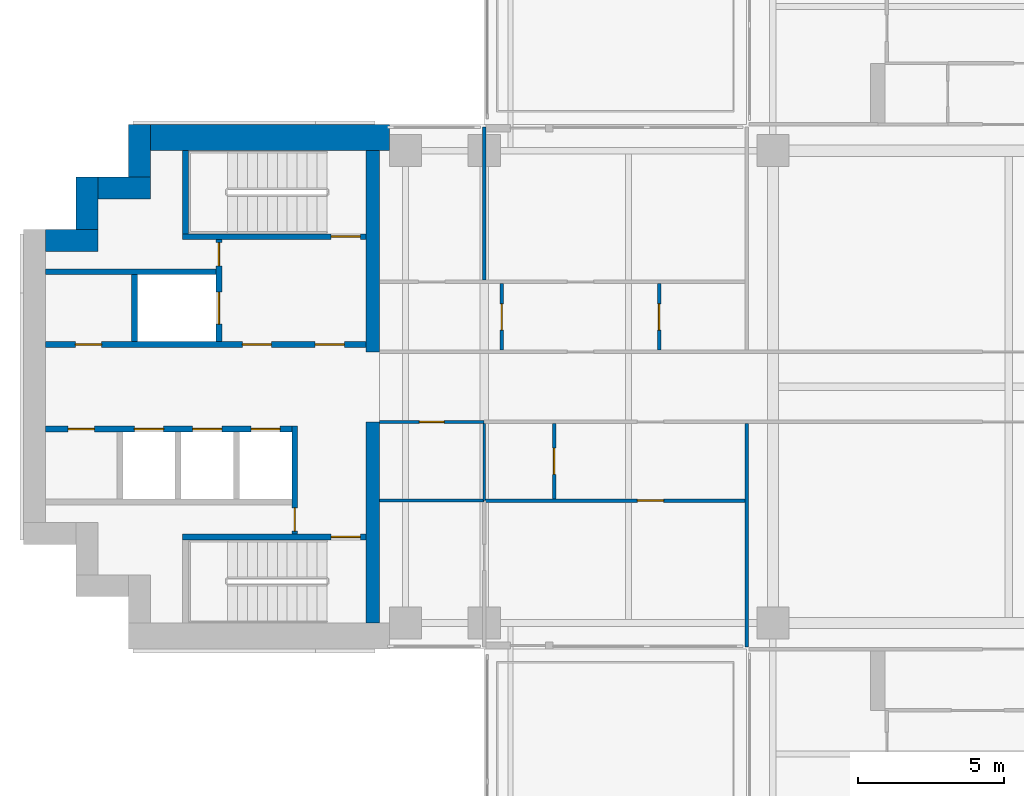
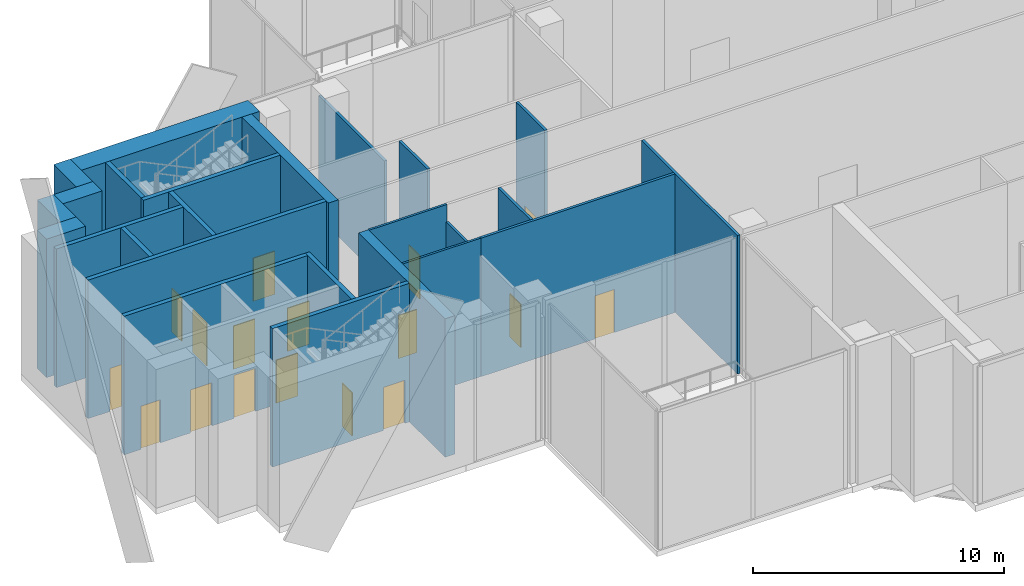
# One storey, part 9 of 17: 25 walls, 17 doors, 17 openings.
"""IFC4 building model written with IfcOpenShell, lengths in metres."""

from ifc_helpers import new_model, si_unit, direction, frame, frame_2d, origin, place, context, subcontext, project, spatial, rectangle, extrude, material, layer, layer_set, type_object, element, fill, save


model = new_model("IFC4")

# Units and contexts
model_context = context("Model", 3, precision=1e-05, world=origin(), true_north=direction((0.0, 1.0)))
body_context = subcontext(model_context, "Body", "Model", "MODEL_VIEW")
ifc_project = project(units=[si_unit("LENGTHUNIT", "METRE"), si_unit("AREAUNIT", "SQUARE_METRE"), si_unit("VOLUMEUNIT", "CUBIC_METRE"), si_unit("PLANEANGLEUNIT", "RADIAN"), si_unit("MASSUNIT", "GRAM", prefix="KILO")], contexts=[model_context])

# Site, building, storey
site_placement = place(None, origin())
site = spatial("IfcSite", under=ifc_project, at=site_placement, CompositionType="ELEMENT")
building_placement = place(site_placement, origin())
building = spatial("IfcBuilding", under=site, at=building_placement, Name="Perihelion Cross Residences", CompositionType="ELEMENT")
storey_placement = place(building_placement, frame((0.0, 0.0, 154.89990234375)))
storey = spatial("IfcBuildingStorey", under=building, at=storey_placement, Name="L38", CompositionType="ELEMENT", Elevation=154.89990234375)

# Walls
ifc_material_1 = material(Name="Concrete C60/75", Category="concrete")
ifc_layer_1 = layer(ifc_material_1, 0.449951171875)
ifc_layer_set_1 = layer_set([ifc_layer_1], Name="Core wall, inner 450")
wall_type_1 = type_object("IfcWallType", Name="Core wall, inner 450", PredefinedType="SHEAR", material=ifc_layer_set_1)
for number, where, z_axis, x_axis, name in (
    (1, (-21.824951171875, -8.10009765625, 0.0), (0.0, 0.0, 1.0), (0.0, 1.0, 0.0), "West core core wall, inner"),
    (2, (-21.824951171875, 1.199951171875, 0.0), (0.0, 0.0, 1.0), (0.0, 1.0, 0.0), "West core core wall, inner"),
):
    element("IfcWall", number, at=place(storey_placement, frame(where, z_axis=z_axis, x_axis=x_axis)), inside=storey, type_object=wall_type_1, Name=name, PredefinedType="SHEAR", context=body_context, shape_type="SweptSolid", body=[
        extrude(rectangle(XDim=6.900146484375, YDim=0.449951171875, at=frame_2d((3.4501953125, 0.0))), origin(), (0.0, 0.0, 1.0), 6.75),
    ])
ifc_material_2 = material(Name="Concrete C60/75", Category="concrete")
ifc_layer_2 = layer(ifc_material_2, 0.75)
ifc_layer_set_2 = layer_set([ifc_layer_2], Name="Core wall, outer 750")
wall_type_2 = type_object("IfcWallType", Name="Core wall, outer 750", PredefinedType="SHEAR", material=ifc_layer_set_2)
for number, where, z_axis, x_axis, name in (
    (3, (-33.050048828125, 5.02490234375, 0.0), (0.0, 0.0, 1.0), (1.0, 0.0, 0.0), "West core core wall, outer"),
    (4, (-31.625, 5.39990234375, 0.0), (0.0, 0.0, 1.0), (0.0, 1.0, 0.0), "West core core wall, outer"),
    (5, (-31.25, 6.824951171875, 0.0), (0.0, 0.0, 1.0), (1.0, 0.0, 0.0), "West core core wall, outer"),
    (6, (-29.824951171875, 7.199951171875, 0.0), (0.0, 0.0, 1.0), (0.0, 1.0, 0.0), "West core core wall, outer"),
):
    element("IfcWall", number, at=place(storey_placement, frame(where, z_axis=z_axis, x_axis=x_axis)), inside=storey, type_object=wall_type_2, Name=name, PredefinedType="SHEAR", context=body_context, shape_type="SweptSolid", body=[
        extrude(rectangle(XDim=1.800048828125, YDim=0.75, at=frame_2d((0.89990234375, 0.0))), origin(), (0.0, 0.0, 1.0), 6.75),
    ])
ifc_material_3 = material(Name="Concrete C60/75", Category="concrete")
ifc_layer_3 = layer(ifc_material_3, 0.89990234375)
ifc_layer_set_3 = layer_set([ifc_layer_3], Name="Core wall, outer 900")
wall_type_3 = type_object("IfcWallType", Name="Core wall, outer 900", PredefinedType="SHEAR", material=ifc_layer_set_3)
wall_1_placement = place(storey_placement, frame((-29.449951171875, 8.550048828125, 0.0), z_axis=(0.0, 0.0, 1.0), x_axis=(1.0, 0.0, 0.0)))
element("IfcWall", 7, at=wall_1_placement, inside=storey, type_object=wall_type_3, Name="West core core wall, outer", PredefinedType="SHEAR", context=body_context, shape_type="SweptSolid", body=[
    extrude(rectangle(XDim=8.199951171875, YDim=0.89990234375, at=frame_2d((4.10009765625, 0.0))), origin(), (0.0, 0.0, 1.0), 6.75),
])

# Wall, opening, door
ifc_material_4 = material(Name="Concrete C50/60", Category="concrete")
ifc_layer_4 = layer(ifc_material_4, 0.199951171875)
ifc_layer_set_4 = layer_set([ifc_layer_4], Name="Lobby wall 200")
wall_type_4 = type_object("IfcWallType", Name="Lobby wall 200", PredefinedType="SOLIDWALL", material=ifc_layer_set_4)
wall_2_placement = place(storey_placement, frame((-24.5, -5.050048828125, 0.0), z_axis=(0.0, 0.0, 1.0), x_axis=(0.0, 1.0, 0.0)))
wall_2 = element("IfcWall", 8, at=wall_2_placement, inside=storey, type_object=wall_type_4, Name="West core lobby wall", PredefinedType="SOLIDWALL", context=body_context, shape_type="SweptSolid", body=[
    extrude(rectangle(XDim=3.699951171875, YDim=0.199951171875, at=frame_2d((1.85009765625, 0.0))), origin(), (0.0, 0.0, 1.0), 6.75),
])
opening_1_placement = place(wall_2_placement, frame((0.10009765625, 0.0, 0.0)))
opening_1 = element("IfcOpeningElement", 9, at=opening_1_placement, cuts=wall_2, Name="Opening L38.C20", PredefinedType="OPENING", context=body_context, shape_type="SweptSolid", body=[
    extrude(rectangle(XDim=0.800048828125, YDim=2.10009765625, at=frame_2d((0.39990234375, 1.050048828125))), frame((0.0, 0.10986328125, 0.0), z_axis=(0.0, -1.0, 0.0), x_axis=(1.0, 0.0, 0.0)), (0.0, 0.0, 1.0), 0.219970703125),
])
ifc_material_5 = material(Name="Steel, powder coated", Category="steel")
door_type_1 = type_object("IfcDoorType", Name="Riser door 800", OperationType="SINGLE_SWING_LEFT", PredefinedType="DOOR", material=ifc_material_5)
door_1_placement = place(opening_1_placement, origin())
door_1 = element("IfcDoor", 10, at=door_1_placement, inside=storey, type_object=door_type_1, Name="West core riser door", OperationType="SINGLE_SWING_LEFT", OverallHeight=2.10009765625, OverallWidth=0.800048828125, PredefinedType="DOOR", context=body_context, shape_type="SweptSolid", body=[
    extrude(rectangle(XDim=0.800048828125, YDim=2.10009765625, at=frame_2d((0.39990234375, 1.050048828125))), frame((0.0, 0.02490234375, 0.0), z_axis=(0.0, -1.0, 0.0), x_axis=(1.0, 0.0, 0.0)), (0.0, 0.0, 1.0), 0.050048828125),
])
fill(opening_1, door_1)

# Walls
ifc_material_6 = material(Name="Plasterboard partition")
ifc_layer_5 = layer(ifc_material_6, 0.1201171875)
ifc_layer_set_5 = layer_set([ifc_layer_5], Name="Partition wall 120")
wall_type_5 = type_object("IfcWallType", Name="Partition wall 120", PredefinedType="PARTITIONING", material=ifc_layer_set_5)
wall_3_placement = place(storey_placement, frame((-9.0, -8.919921875, 0.0), z_axis=(0.0, 0.0, 1.0), x_axis=(0.0, 1.0, 0.0)))
element("IfcWall", 11, at=wall_3_placement, inside=storey, type_object=wall_type_5, Name="Partition L38 W014", PredefinedType="PARTITIONING", context=body_context, shape_type="SweptSolid", body=[
    extrude(rectangle(XDim=7.659912109375, YDim=0.1201171875, at=frame_2d((3.830078125, 0.0))), origin(), (0.0, 0.0, 1.0), 6.75),
])
wall_4_placement = place(storey_placement, frame((-18.0, 3.659912109375, 0.0), z_axis=(0.0, 0.0, 1.0), x_axis=(0.0, 1.0, 0.0)))
element("IfcWall", 12, at=wall_4_placement, inside=storey, type_object=wall_type_5, Name="Partition L38 W030", PredefinedType="PARTITIONING", context=body_context, shape_type="SweptSolid", body=[
    extrude(rectangle(XDim=5.260009765625, YDim=0.1201171875, at=frame_2d((2.6298828125, 0.0))), origin(), (0.0, 0.0, 1.0), 5.9140625),
])

# Wall, opening, door
wall_5_placement = place(storey_placement, frame((-12.0, 1.260009765625, 0.0), z_axis=(0.0, 0.0, 1.0), x_axis=(0.0, 1.0, 0.0)))
wall_5 = element("IfcWall", 13, at=wall_5_placement, inside=storey, type_object=wall_type_5, Name="Partition L38 W032", PredefinedType="PARTITIONING", context=body_context, shape_type="SweptSolid", body=[
    extrude(rectangle(XDim=2.280029296875, YDim=0.1201171875, at=frame_2d((1.14013671875, 0.0))), origin(), (0.0, 0.0, 1.0), 6.75),
])
opening_2_placement = place(wall_5_placement, frame((0.68994140625, 0.0, 0.0)))
opening_2 = element("IfcOpeningElement", 14, at=opening_2_placement, cuts=wall_5, Name="Opening L38.A15", PredefinedType="OPENING", context=body_context, shape_type="SweptSolid", body=[
    extrude(rectangle(XDim=0.89990234375, YDim=2.10009765625, at=frame_2d((0.449951171875, 1.050048828125))), frame((0.0, 0.070068359375, 0.0), z_axis=(0.0, -1.0, 0.0), x_axis=(1.0, 0.0, 0.0)), (0.0, 0.0, 1.0), 0.14013671875),
])
ifc_material_7 = material(Name="Timber door leaf", Category="wood")
door_type_2 = type_object("IfcDoorType", Name="Interior room door 900 x 2100", OperationType="SINGLE_SWING_LEFT", PredefinedType="DOOR", material=ifc_material_7)
door_2_placement = place(opening_2_placement, origin())
door_2 = element("IfcDoor", 15, at=door_2_placement, inside=storey, type_object=door_type_2, Name="Door L38.A15", OperationType="SINGLE_SWING_RIGHT", OverallHeight=2.10009765625, OverallWidth=0.89990234375, PredefinedType="DOOR", context=body_context, shape_type="SweptSolid", body=[
    extrude(rectangle(XDim=0.89990234375, YDim=2.10009765625, at=frame_2d((0.449951171875, 1.050048828125))), frame((0.0, 0.02490234375, 0.0), z_axis=(0.0, -1.0, 0.0), x_axis=(1.0, 0.0, 0.0)), (0.0, 0.0, 1.0), 0.050048828125),
])
fill(opening_2, door_2)

wall_6_placement = place(storey_placement, frame((-17.39990234375, 1.260009765625, 0.0), z_axis=(0.0, 0.0, 1.0), x_axis=(0.0, 1.0, 0.0)))
wall_6 = element("IfcWall", 16, at=wall_6_placement, inside=storey, type_object=wall_type_5, Name="Partition L38 W033", PredefinedType="PARTITIONING", context=body_context, shape_type="SweptSolid", body=[
    extrude(rectangle(XDim=2.280029296875, YDim=0.1201171875, at=frame_2d((1.14013671875, 0.0))), origin(), (0.0, 0.0, 1.0), 6.75),
])
opening_3_placement = place(wall_6_placement, frame((0.68994140625, 0.0, 0.0)))
opening_3 = element("IfcOpeningElement", 17, at=opening_3_placement, cuts=wall_6, Name="Opening L38.A16", PredefinedType="OPENING", context=body_context, shape_type="SweptSolid", body=[
    extrude(rectangle(XDim=0.89990234375, YDim=2.10009765625, at=frame_2d((0.449951171875, 1.050048828125))), frame((0.0, 0.070068359375, 0.0), z_axis=(0.0, -1.0, 0.0), x_axis=(1.0, 0.0, 0.0)), (0.0, 0.0, 1.0), 0.14013671875),
])
door_3_placement = place(opening_3_placement, origin())
door_3 = element("IfcDoor", 18, at=door_3_placement, inside=storey, type_object=door_type_2, Name="Door L38.A16", OperationType="SINGLE_SWING_RIGHT", OverallHeight=2.10009765625, OverallWidth=0.89990234375, PredefinedType="DOOR", context=body_context, shape_type="SweptSolid", body=[
    extrude(rectangle(XDim=0.89990234375, YDim=2.10009765625, at=frame_2d((0.449951171875, 1.050048828125))), frame((0.0, 0.02490234375, 0.0), z_axis=(0.0, -1.0, 0.0), x_axis=(1.0, 0.0, 0.0)), (0.0, 0.0, 1.0), 0.050048828125),
])
fill(opening_3, door_3)

wall_7_placement = place(storey_placement, frame((-18.0, -3.89990234375, 0.0), z_axis=(0.0, 0.0, 1.0), x_axis=(1.0, 0.0, 0.0)))
wall_7 = element("IfcWall", 19, at=wall_7_placement, inside=storey, type_object=wall_type_5, Name="Partition L38 W035", PredefinedType="PARTITIONING", context=body_context, shape_type="SweptSolid", body=[
    extrude(rectangle(XDim=9.06005859375, YDim=0.1201171875, at=frame_2d((4.530029296875, 0.0))), origin(), (0.0, 0.0, 1.0), 6.75),
])
opening_4_placement = place(wall_7_placement, frame((5.25, 0.0, 0.0)))
opening_4 = element("IfcOpeningElement", 20, at=opening_4_placement, cuts=wall_7, Name="Opening L38.A10", PredefinedType="OPENING", context=body_context, shape_type="SweptSolid", body=[
    extrude(rectangle(XDim=0.89990234375, YDim=2.10009765625, at=frame_2d((0.449951171875, 1.050048828125))), frame((0.0, 0.070068359375, 0.0), z_axis=(0.0, -1.0, 0.0), x_axis=(1.0, 0.0, 0.0)), (0.0, 0.0, 1.0), 0.14013671875),
])
door_4_placement = place(opening_4_placement, origin())
door_4 = element("IfcDoor", 21, at=door_4_placement, inside=storey, type_object=door_type_2, Name="Door L38.A10", OperationType="SINGLE_SWING_LEFT", OverallHeight=2.10009765625, OverallWidth=0.89990234375, PredefinedType="DOOR", context=body_context, shape_type="SweptSolid", body=[
    extrude(rectangle(XDim=0.89990234375, YDim=2.10009765625, at=frame_2d((0.449951171875, 1.050048828125))), frame((0.0, 0.02490234375, 0.0), z_axis=(0.0, -1.0, 0.0), x_axis=(1.0, 0.0, 0.0)), (0.0, 0.0, 1.0), 0.050048828125),
])
fill(opening_4, door_4)

wall_8_placement = place(storey_placement, frame((-15.60009765625, -3.840087890625, 0.0), z_axis=(0.0, 0.0, 1.0), x_axis=(0.0, 1.0, 0.0)))
wall_8 = element("IfcWall", 22, at=wall_8_placement, inside=storey, type_object=wall_type_5, Name="Partition L38 W037", PredefinedType="PARTITIONING", context=body_context, shape_type="SweptSolid", body=[
    extrude(rectangle(XDim=2.580078125, YDim=0.1201171875, at=frame_2d((1.2900390625, 0.0))), origin(), (0.0, 0.0, 1.0), 6.75),
])
opening_5_placement = place(wall_8_placement, frame((0.840087890625, 0.0, 0.0)))
opening_5 = element("IfcOpeningElement", 23, at=opening_5_placement, cuts=wall_8, Name="Opening L38.A13", PredefinedType="OPENING", context=body_context, shape_type="SweptSolid", body=[
    extrude(rectangle(XDim=0.89990234375, YDim=2.10009765625, at=frame_2d((0.449951171875, 1.050048828125))), frame((0.0, 0.070068359375, 0.0), z_axis=(0.0, -1.0, 0.0), x_axis=(1.0, 0.0, 0.0)), (0.0, 0.0, 1.0), 0.14013671875),
])
door_5_placement = place(opening_5_placement, origin())
door_5 = element("IfcDoor", 24, at=door_5_placement, inside=storey, type_object=door_type_2, Name="Door L38.A13", OperationType="SINGLE_SWING_LEFT", OverallHeight=2.10009765625, OverallWidth=0.89990234375, PredefinedType="DOOR", context=body_context, shape_type="SweptSolid", body=[
    extrude(rectangle(XDim=0.89990234375, YDim=2.10009765625, at=frame_2d((0.449951171875, 1.050048828125))), frame((0.0, 0.02490234375, 0.0), z_axis=(0.0, -1.0, 0.0), x_axis=(1.0, 0.0, 0.0)), (0.0, 0.0, 1.0), 0.050048828125),
])
fill(opening_5, door_5)

# Wall, openings, doors
ifc_material_8 = material(Name="Concrete C50/60", Category="concrete")
ifc_layer_6 = layer(ifc_material_8, 0.199951171875)
ifc_layer_set_6 = layer_set([ifc_layer_6], Name="Shaft wall 200")
wall_type_6 = type_object("IfcWallType", Name="Shaft wall 200", PredefinedType="SOLIDWALL", material=ifc_layer_set_6)
wall_9_placement = place(storey_placement, frame((-33.050048828125, 1.449951171875, 0.0), z_axis=(0.0, 0.0, 1.0), x_axis=(1.0, 0.0, 0.0)))
wall_9 = element("IfcWall", 25, at=wall_9_placement, inside=storey, type_object=wall_type_6, Name="West core shaft wall", PredefinedType="SOLIDWALL", context=body_context, shape_type="SweptSolid", body=[
    extrude(rectangle(XDim=11.0, YDim=0.199951171875, at=frame_2d((5.5, 0.0))), origin(), (0.0, 0.0, 1.0), 6.75),
])
opening_6_placement = place(wall_9_placement, frame((9.25, 0.0, 0.0)))
opening_6 = element("IfcOpeningElement", 26, at=opening_6_placement, cuts=wall_9, Name="Opening L38.C19", PredefinedType="OPENING", context=body_context, shape_type="SweptSolid", body=[
    extrude(rectangle(XDim=1.0, YDim=2.10009765625, at=frame_2d((0.5, 1.050048828125))), frame((0.0, 0.10986328125, 0.0), z_axis=(0.0, -1.0, 0.0), x_axis=(1.0, 0.0, 0.0)), (0.0, 0.0, 1.0), 0.219970703125),
])
opening_7_placement = place(wall_9_placement, frame((6.75, 0.0, 0.0)))
opening_7 = element("IfcOpeningElement", 27, at=opening_7_placement, cuts=wall_9, Name="Opening L38.C21", PredefinedType="OPENING", context=body_context, shape_type="SweptSolid", body=[
    extrude(rectangle(XDim=1.0, YDim=2.10009765625, at=frame_2d((0.5, 1.050048828125))), frame((0.0, 0.10986328125, 0.0), z_axis=(0.0, -1.0, 0.0), x_axis=(1.0, 0.0, 0.0)), (0.0, 0.0, 1.0), 0.219970703125),
])
opening_8_placement = place(wall_9_placement, frame((1.02490234375, 0.0, 0.0)))
opening_8 = element("IfcOpeningElement", 28, at=opening_8_placement, cuts=wall_9, Name="Opening L38.C23", PredefinedType="OPENING", context=body_context, shape_type="SweptSolid", body=[
    extrude(rectangle(XDim=0.89990234375, YDim=2.10009765625, at=frame_2d((0.449951171875, 1.050048828125))), frame((0.0, 0.10986328125, 0.0), z_axis=(0.0, -1.0, 0.0), x_axis=(1.0, 0.0, 0.0)), (0.0, 0.0, 1.0), 0.219970703125),
])
ifc_material_9 = material(Name="Steel, powder coated", Category="steel")
door_type_3 = type_object("IfcDoorType", Name="Lobby door 1000", OperationType="SINGLE_SWING_LEFT", PredefinedType="DOOR", material=ifc_material_9)
door_6_placement = place(opening_6_placement, origin())
door_6 = element("IfcDoor", 29, at=door_6_placement, inside=storey, type_object=door_type_3, Name="West core firefighting lobby door", OperationType="SINGLE_SWING_LEFT", OverallHeight=2.10009765625, OverallWidth=1.0, PredefinedType="DOOR", context=body_context, shape_type="SweptSolid", body=[
    extrude(rectangle(XDim=1.0, YDim=2.10009765625, at=frame_2d((0.5, 1.050048828125))), frame((0.0, 0.02490234375, 0.0), z_axis=(0.0, -1.0, 0.0), x_axis=(1.0, 0.0, 0.0)), (0.0, 0.0, 1.0), 0.050048828125),
])
fill(opening_6, door_6)
door_7_placement = place(opening_7_placement, origin())
door_7 = element("IfcDoor", 30, at=door_7_placement, inside=storey, type_object=door_type_3, Name="West core firefighting lobby door", OperationType="SINGLE_SWING_LEFT", OverallHeight=2.10009765625, OverallWidth=1.0, PredefinedType="DOOR", context=body_context, shape_type="SweptSolid", body=[
    extrude(rectangle(XDim=1.0, YDim=2.10009765625, at=frame_2d((0.5, 1.050048828125))), frame((0.0, 0.02490234375, 0.0), z_axis=(0.0, -1.0, 0.0), x_axis=(1.0, 0.0, 0.0)), (0.0, 0.0, 1.0), 0.050048828125),
])
fill(opening_7, door_7)
ifc_material_10 = material(Name="Steel, powder coated", Category="steel")
door_type_4 = type_object("IfcDoorType", Name="Service room door 900", OperationType="SINGLE_SWING_LEFT", PredefinedType="DOOR", material=ifc_material_10)
door_8_placement = place(opening_8_placement, origin())
door_8 = element("IfcDoor", 31, at=door_8_placement, inside=storey, type_object=door_type_4, Name="West core service room door", OperationType="SINGLE_SWING_LEFT", OverallHeight=2.10009765625, OverallWidth=0.89990234375, PredefinedType="DOOR", context=body_context, shape_type="SweptSolid", body=[
    extrude(rectangle(XDim=0.89990234375, YDim=2.10009765625, at=frame_2d((0.449951171875, 1.050048828125))), frame((0.0, 0.02490234375, 0.0), z_axis=(0.0, -1.0, 0.0), x_axis=(1.0, 0.0, 0.0)), (0.0, 0.0, 1.0), 0.050048828125),
])
fill(opening_8, door_8)

wall_10_placement = place(storey_placement, frame((-33.050048828125, -1.449951171875, 0.0), z_axis=(0.0, 0.0, 1.0), x_axis=(1.0, 0.0, 0.0)))
wall_10 = element("IfcWall", 32, at=wall_10_placement, inside=storey, type_object=wall_type_6, Name="West core shaft wall", PredefinedType="SOLIDWALL", context=body_context, shape_type="SweptSolid", body=[
    extrude(rectangle(XDim=8.449951171875, YDim=0.199951171875, at=frame_2d((4.22509765625, 0.0))), origin(), (0.0, 0.0, 1.0), 6.75),
])
opening_9_placement = place(wall_10_placement, frame((7.050048828125, 0.0, 0.0)))
opening_9 = element("IfcOpeningElement", 33, at=opening_9_placement, cuts=wall_10, Name="Opening L38.C13", PredefinedType="OPENING", context=body_context, shape_type="SweptSolid", body=[
    extrude(rectangle(XDim=1.0, YDim=2.10009765625, at=frame_2d((0.5, 1.050048828125))), frame((0.0, 0.10986328125, 0.0), z_axis=(0.0, -1.0, 0.0), x_axis=(1.0, 0.0, 0.0)), (0.0, 0.0, 1.0), 0.219970703125),
])
opening_10_placement = place(wall_10_placement, frame((5.050048828125, 0.0, 0.0)))
opening_10 = element("IfcOpeningElement", 34, at=opening_10_placement, cuts=wall_10, Name="Opening L38.C15", PredefinedType="OPENING", context=body_context, shape_type="SweptSolid", body=[
    extrude(rectangle(XDim=1.0, YDim=2.10009765625, at=frame_2d((0.5, 1.050048828125))), frame((0.0, 0.10986328125, 0.0), z_axis=(0.0, -1.0, 0.0), x_axis=(1.0, 0.0, 0.0)), (0.0, 0.0, 1.0), 0.219970703125),
])
opening_11_placement = place(wall_10_placement, frame((3.050048828125, 0.0, 0.0)))
opening_11 = element("IfcOpeningElement", 35, at=opening_11_placement, cuts=wall_10, Name="Opening L38.C16", PredefinedType="OPENING", context=body_context, shape_type="SweptSolid", body=[
    extrude(rectangle(XDim=1.0, YDim=2.10009765625, at=frame_2d((0.5, 1.050048828125))), frame((0.0, 0.10986328125, 0.0), z_axis=(0.0, -1.0, 0.0), x_axis=(1.0, 0.0, 0.0)), (0.0, 0.0, 1.0), 0.219970703125),
])
opening_12_placement = place(wall_10_placement, frame((0.77490234375, 0.0, 0.0)))
opening_12 = element("IfcOpeningElement", 36, at=opening_12_placement, cuts=wall_10, Name="Opening L38.C24", PredefinedType="OPENING", context=body_context, shape_type="SweptSolid", body=[
    extrude(rectangle(XDim=0.89990234375, YDim=2.10009765625, at=frame_2d((0.449951171875, 1.050048828125))), frame((0.0, 0.10986328125, 0.0), z_axis=(0.0, -1.0, 0.0), x_axis=(1.0, 0.0, 0.0)), (0.0, 0.0, 1.0), 0.219970703125),
])
ifc_material_11 = material(Name="Stainless steel", Category="steel")
door_type_5 = type_object("IfcDoorType", Name="Landing door 1000", OperationType="DOUBLE_DOOR_SLIDING", PredefinedType="DOOR", material=ifc_material_11)
door_9_placement = place(opening_9_placement, origin())
door_9 = element("IfcDoor", 37, at=door_9_placement, inside=storey, type_object=door_type_5, Name="Landing door, West core high-rise lift 1", OperationType="DOUBLE_DOOR_SLIDING", OverallHeight=2.10009765625, OverallWidth=1.0, PredefinedType="DOOR", context=body_context, shape_type="SweptSolid", body=[
    extrude(rectangle(XDim=1.0, YDim=2.10009765625, at=frame_2d((0.5, 1.050048828125))), frame((0.0, 0.02490234375, 0.0), z_axis=(0.0, -1.0, 0.0), x_axis=(1.0, 0.0, 0.0)), (0.0, 0.0, 1.0), 0.050048828125),
])
fill(opening_9, door_9)
door_10_placement = place(opening_10_placement, origin())
door_10 = element("IfcDoor", 38, at=door_10_placement, inside=storey, type_object=door_type_5, Name="Landing door, West core high-rise lift 2", OperationType="DOUBLE_DOOR_SLIDING", OverallHeight=2.10009765625, OverallWidth=1.0, PredefinedType="DOOR", context=body_context, shape_type="SweptSolid", body=[
    extrude(rectangle(XDim=1.0, YDim=2.10009765625, at=frame_2d((0.5, 1.050048828125))), frame((0.0, 0.02490234375, 0.0), z_axis=(0.0, -1.0, 0.0), x_axis=(1.0, 0.0, 0.0)), (0.0, 0.0, 1.0), 0.050048828125),
])
fill(opening_10, door_10)
door_11_placement = place(opening_11_placement, origin())
door_11 = element("IfcDoor", 39, at=door_11_placement, inside=storey, type_object=door_type_5, Name="Landing door, West core high-rise lift 3", OperationType="DOUBLE_DOOR_SLIDING", OverallHeight=2.10009765625, OverallWidth=1.0, PredefinedType="DOOR", context=body_context, shape_type="SweptSolid", body=[
    extrude(rectangle(XDim=1.0, YDim=2.10009765625, at=frame_2d((0.5, 1.050048828125))), frame((0.0, 0.02490234375, 0.0), z_axis=(0.0, -1.0, 0.0), x_axis=(1.0, 0.0, 0.0)), (0.0, 0.0, 1.0), 0.050048828125),
])
fill(opening_11, door_11)
door_12_placement = place(opening_12_placement, origin())
door_12 = element("IfcDoor", 40, at=door_12_placement, inside=storey, type_object=door_type_4, Name="West core service room door", OperationType="SINGLE_SWING_LEFT", OverallHeight=2.10009765625, OverallWidth=0.89990234375, PredefinedType="DOOR", context=body_context, shape_type="SweptSolid", body=[
    extrude(rectangle(XDim=0.89990234375, YDim=2.10009765625, at=frame_2d((0.449951171875, 1.050048828125))), frame((0.0, 0.02490234375, 0.0), z_axis=(0.0, -1.0, 0.0), x_axis=(1.0, 0.0, 0.0)), (0.0, 0.0, 1.0), 0.050048828125),
])
fill(opening_12, door_12)

# Wall
wall_11_placement = place(storey_placement, frame((-33.050048828125, 3.949951171875, 0.0), z_axis=(0.0, 0.0, 1.0), x_axis=(1.0, 0.0, 0.0)))
element("IfcWall", 41, at=wall_11_placement, inside=storey, type_object=wall_type_6, Name="West core shaft wall", PredefinedType="SOLIDWALL", context=body_context, shape_type="SweptSolid", body=[
    extrude(rectangle(XDim=5.85009765625, YDim=0.199951171875, at=frame_2d((2.925048828125, 0.0))), origin(), (0.0, 0.0, 1.0), 6.75),
])

# Wall, openings, doors
wall_12_placement = place(storey_placement, frame((-27.10009765625, 1.550048828125, 0.0), z_axis=(0.0, 0.0, 1.0), x_axis=(0.0, 1.0, 0.0)))
wall_12 = element("IfcWall", 42, at=wall_12_placement, inside=storey, type_object=wall_type_6, Name="West core shaft wall", PredefinedType="SOLIDWALL", context=body_context, shape_type="SweptSolid", body=[
    extrude(rectangle(XDim=3.5, YDim=0.199951171875, at=frame_2d((1.75, 0.0))), origin(), (0.0, 0.0, 1.0), 6.75),
])
opening_13_placement = place(wall_12_placement, frame((0.60009765625, 0.0, 0.0)))
opening_13 = element("IfcOpeningElement", 43, at=opening_13_placement, cuts=wall_12, Name="Opening L38.C14", PredefinedType="OPENING", context=body_context, shape_type="SweptSolid", body=[
    extrude(rectangle(XDim=1.10009765625, YDim=2.10009765625, at=frame_2d((0.550048828125, 1.050048828125))), frame((0.0, 0.10986328125, 0.0), z_axis=(0.0, -1.0, 0.0), x_axis=(1.0, 0.0, 0.0)), (0.0, 0.0, 1.0), 0.219970703125),
])
opening_14_placement = place(wall_12_placement, frame((2.60009765625, 0.0, 0.0)))
opening_14 = element("IfcOpeningElement", 44, at=opening_14_placement, cuts=wall_12, Name="Opening L38.C22", PredefinedType="OPENING", context=body_context, shape_type="SweptSolid", body=[
    extrude(rectangle(XDim=0.800048828125, YDim=2.10009765625, at=frame_2d((0.39990234375, 1.050048828125))), frame((0.0, 0.10986328125, 0.0), z_axis=(0.0, -1.0, 0.0), x_axis=(1.0, 0.0, 0.0)), (0.0, 0.0, 1.0), 0.219970703125),
])
ifc_material_12 = material(Name="Stainless steel", Category="steel")
door_type_6 = type_object("IfcDoorType", Name="Landing door, firefighting lift 1100", OperationType="DOUBLE_DOOR_SLIDING", PredefinedType="DOOR", material=ifc_material_12)
door_13_placement = place(opening_13_placement, origin())
door_13 = element("IfcDoor", 45, at=door_13_placement, inside=storey, type_object=door_type_6, Name="Landing door, West core firefighting and service lift", OperationType="DOUBLE_DOOR_SLIDING", OverallHeight=2.10009765625, OverallWidth=1.10009765625, PredefinedType="DOOR", context=body_context, shape_type="SweptSolid", body=[
    extrude(rectangle(XDim=1.10009765625, YDim=2.10009765625, at=frame_2d((0.550048828125, 1.050048828125))), frame((0.0, 0.02490234375, 0.0), z_axis=(0.0, -1.0, 0.0), x_axis=(1.0, 0.0, 0.0)), (0.0, 0.0, 1.0), 0.050048828125),
])
fill(opening_13, door_13)
door_14_placement = place(opening_14_placement, origin())
door_14 = element("IfcDoor", 46, at=door_14_placement, inside=storey, type_object=door_type_1, Name="West core riser door", OperationType="SINGLE_SWING_LEFT", OverallHeight=2.10009765625, OverallWidth=0.800048828125, PredefinedType="DOOR", context=body_context, shape_type="SweptSolid", body=[
    extrude(rectangle(XDim=0.800048828125, YDim=2.10009765625, at=frame_2d((0.39990234375, 1.050048828125))), frame((0.0, 0.02490234375, 0.0), z_axis=(0.0, -1.0, 0.0), x_axis=(1.0, 0.0, 0.0)), (0.0, 0.0, 1.0), 0.050048828125),
])
fill(opening_14, door_14)

# Wall
wall_13_placement = place(storey_placement, frame((-30.0, 1.550048828125, 0.0), z_axis=(0.0, 0.0, 1.0), x_axis=(0.0, 1.0, 0.0)))
element("IfcWall", 47, at=wall_13_placement, inside=storey, type_object=wall_type_6, Name="West core shaft wall", PredefinedType="SOLIDWALL", context=body_context, shape_type="SweptSolid", body=[
    extrude(rectangle(XDim=2.300048828125, YDim=0.199951171875, at=frame_2d((1.14990234375, 0.0))), origin(), (0.0, 0.0, 1.0), 6.75),
])

# Wall, opening, door
ifc_material_13 = material(Name="Concrete C50/60", Category="concrete")
ifc_layer_7 = layer(ifc_material_13, 0.199951171875)
ifc_layer_set_7 = layer_set([ifc_layer_7], Name="Stair wall 200")
wall_type_7 = type_object("IfcWallType", Name="Stair wall 200", PredefinedType="SOLIDWALL", material=ifc_layer_set_7)
wall_14_placement = place(storey_placement, frame((-28.35009765625, 5.14990234375, 0.0), z_axis=(0.0, 0.0, 1.0), x_axis=(1.0, 0.0, 0.0)))
wall_14 = element("IfcWall", 48, at=wall_14_placement, inside=storey, type_object=wall_type_7, Name="West core stair wall", PredefinedType="SOLIDWALL", context=body_context, shape_type="SweptSolid", body=[
    extrude(rectangle(XDim=6.300048828125, YDim=0.199951171875, at=frame_2d((3.14990234375, 0.0))), origin(), (0.0, 0.0, 1.0), 6.75),
])
opening_15_placement = place(wall_14_placement, frame((5.10009765625, 0.0, 0.0)))
opening_15 = element("IfcOpeningElement", 49, at=opening_15_placement, cuts=wall_14, Name="Opening L38.C18", PredefinedType="OPENING", context=body_context, shape_type="SweptSolid", body=[
    extrude(rectangle(XDim=1.0, YDim=2.10009765625, at=frame_2d((0.5, 1.050048828125))), frame((0.0, 0.10986328125, 0.0), z_axis=(0.0, -1.0, 0.0), x_axis=(1.0, 0.0, 0.0)), (0.0, 0.0, 1.0), 0.219970703125),
])
ifc_material_14 = material(Name="Steel, powder coated", Category="steel")
door_type_7 = type_object("IfcDoorType", Name="Stair door 1000", OperationType="SINGLE_SWING_LEFT", PredefinedType="DOOR", material=ifc_material_14)
door_15_placement = place(opening_15_placement, origin())
door_15 = element("IfcDoor", 50, at=door_15_placement, inside=storey, type_object=door_type_7, Name="West core stair door", OperationType="SINGLE_SWING_LEFT", OverallHeight=2.10009765625, OverallWidth=1.0, PredefinedType="DOOR", context=body_context, shape_type="SweptSolid", body=[
    extrude(rectangle(XDim=1.0, YDim=2.10009765625, at=frame_2d((0.5, 1.050048828125))), frame((0.0, 0.02490234375, 0.0), z_axis=(0.0, -1.0, 0.0), x_axis=(1.0, 0.0, 0.0)), (0.0, 0.0, 1.0), 0.050048828125),
])
fill(opening_15, door_15)

wall_15_placement = place(storey_placement, frame((-28.35009765625, -5.14990234375, 0.0), z_axis=(0.0, 0.0, 1.0), x_axis=(1.0, 0.0, 0.0)))
wall_15 = element("IfcWall", 51, at=wall_15_placement, inside=storey, type_object=wall_type_7, Name="West core stair wall", PredefinedType="SOLIDWALL", context=body_context, shape_type="SweptSolid", body=[
    extrude(rectangle(XDim=6.300048828125, YDim=0.199951171875, at=frame_2d((3.14990234375, 0.0))), origin(), (0.0, 0.0, 1.0), 6.75),
])
opening_16_placement = place(wall_15_placement, frame((5.10009765625, 0.0, 0.0)))
opening_16 = element("IfcOpeningElement", 52, at=opening_16_placement, cuts=wall_15, Name="Opening L38.C17", PredefinedType="OPENING", context=body_context, shape_type="SweptSolid", body=[
    extrude(rectangle(XDim=1.0, YDim=2.10009765625, at=frame_2d((0.5, 1.050048828125))), frame((0.0, 0.10986328125, 0.0), z_axis=(0.0, -1.0, 0.0), x_axis=(1.0, 0.0, 0.0)), (0.0, 0.0, 1.0), 0.219970703125),
])
door_16_placement = place(opening_16_placement, origin())
door_16 = element("IfcDoor", 53, at=door_16_placement, inside=storey, type_object=door_type_7, Name="West core stair door", OperationType="SINGLE_SWING_LEFT", OverallHeight=2.10009765625, OverallWidth=1.0, PredefinedType="DOOR", context=body_context, shape_type="SweptSolid", body=[
    extrude(rectangle(XDim=1.0, YDim=2.10009765625, at=frame_2d((0.5, 1.050048828125))), frame((0.0, 0.02490234375, 0.0), z_axis=(0.0, -1.0, 0.0), x_axis=(1.0, 0.0, 0.0)), (0.0, 0.0, 1.0), 0.050048828125),
])
fill(opening_16, door_16)

# Wall
wall_16_placement = place(storey_placement, frame((-28.25, 5.25, 0.0), z_axis=(0.0, 0.0, 1.0), x_axis=(0.0, 1.0, 0.0)))
element("IfcWall", 54, at=wall_16_placement, inside=storey, type_object=wall_type_7, Name="West core stair wall", PredefinedType="SOLIDWALL", context=body_context, shape_type="SweptSolid", body=[
    extrude(rectangle(XDim=2.85009765625, YDim=0.199951171875, at=frame_2d((1.425048828125, 0.0))), origin(), (0.0, 0.0, 1.0), 6.75),
])

# Wall, opening, door
ifc_material_15 = material(Name="Plasterboard partition")
ifc_layer_8 = layer(ifc_material_15, 0.10009765625)
ifc_layer_set_8 = layer_set([ifc_layer_8], Name="Wet room wall 100")
wall_type_8 = type_object("IfcWallType", Name="Wet room wall 100", PredefinedType="PARTITIONING", material=ifc_layer_set_8)
wall_17_placement = place(storey_placement, frame((-18.0, -1.199951171875, 0.0), z_axis=(0.0, 0.0, 1.0), x_axis=(-1.0, 0.0, 0.0)))
wall_17 = element("IfcWall", 55, at=wall_17_placement, inside=storey, type_object=wall_type_8, Name="Partition L38 W007", PredefinedType="PARTITIONING", context=body_context, shape_type="SweptSolid", body=[
    extrude(rectangle(XDim=3.60009765625, YDim=0.10009765625, at=frame_2d((1.800048828125, 0.0))), origin(), (0.0, 0.0, 1.0), 6.75),
])
opening_17_placement = place(wall_17_placement, frame((1.375, 0.0, 0.0)))
opening_17 = element("IfcOpeningElement", 56, at=opening_17_placement, cuts=wall_17, Name="Opening L38.A09", PredefinedType="OPENING", context=body_context, shape_type="SweptSolid", body=[
    extrude(rectangle(XDim=0.85009765625, YDim=2.10009765625, at=frame_2d((0.425048828125, 1.050048828125))), frame((0.0, 0.06005859375, 0.0), z_axis=(0.0, -1.0, 0.0), x_axis=(1.0, 0.0, 0.0)), (0.0, 0.0, 1.0), 0.1201171875),
])
ifc_material_16 = material(Name="Timber door leaf", Category="wood")
door_type_8 = type_object("IfcDoorType", Name="Interior bathroom door 850 x 2100", OperationType="SINGLE_SWING_LEFT", PredefinedType="DOOR", material=ifc_material_16)
door_17_placement = place(opening_17_placement, origin())
door_17 = element("IfcDoor", 57, at=door_17_placement, inside=storey, type_object=door_type_8, Name="Door L38.A09", OperationType="SINGLE_SWING_LEFT", OverallHeight=2.10009765625, OverallWidth=0.85009765625, PredefinedType="DOOR", context=body_context, shape_type="SweptSolid", body=[
    extrude(rectangle(XDim=0.85009765625, YDim=2.10009765625, at=frame_2d((0.425048828125, 1.050048828125))), frame((0.0, 0.02490234375, 0.0), z_axis=(0.0, -1.0, 0.0), x_axis=(1.0, 0.0, 0.0)), (0.0, 0.0, 1.0), 0.050048828125),
])
fill(opening_17, door_17)

# Walls
wall_18_placement = place(storey_placement, frame((-21.60009765625, -3.89990234375, 0.0), z_axis=(0.0, 0.0, 1.0), x_axis=(1.0, 0.0, 0.0)))
element("IfcWall", 58, at=wall_18_placement, inside=storey, type_object=wall_type_8, Name="Partition L38 W036", PredefinedType="PARTITIONING", context=body_context, shape_type="SweptSolid", body=[
    extrude(rectangle(XDim=3.60009765625, YDim=0.10009765625, at=frame_2d((1.800048828125, 0.0))), origin(), (0.0, 0.0, 1.0), 6.75),
])
wall_19_placement = place(storey_placement, frame((-18.0, -3.89990234375, 0.0), z_axis=(0.0, 0.0, 1.0), x_axis=(0.0, 1.0, 0.0)))
element("IfcWall", 59, at=wall_19_placement, inside=storey, type_object=wall_type_8, Name="Partition L38 W038", PredefinedType="PARTITIONING", context=body_context, shape_type="SweptSolid", body=[
    extrude(rectangle(XDim=2.639892578125, YDim=0.10009765625, at=frame_2d((1.31982421875, 0.0))), origin(), (0.0, 0.0, 1.0), 5.9140625),
])

save(model, "model.ifc")
